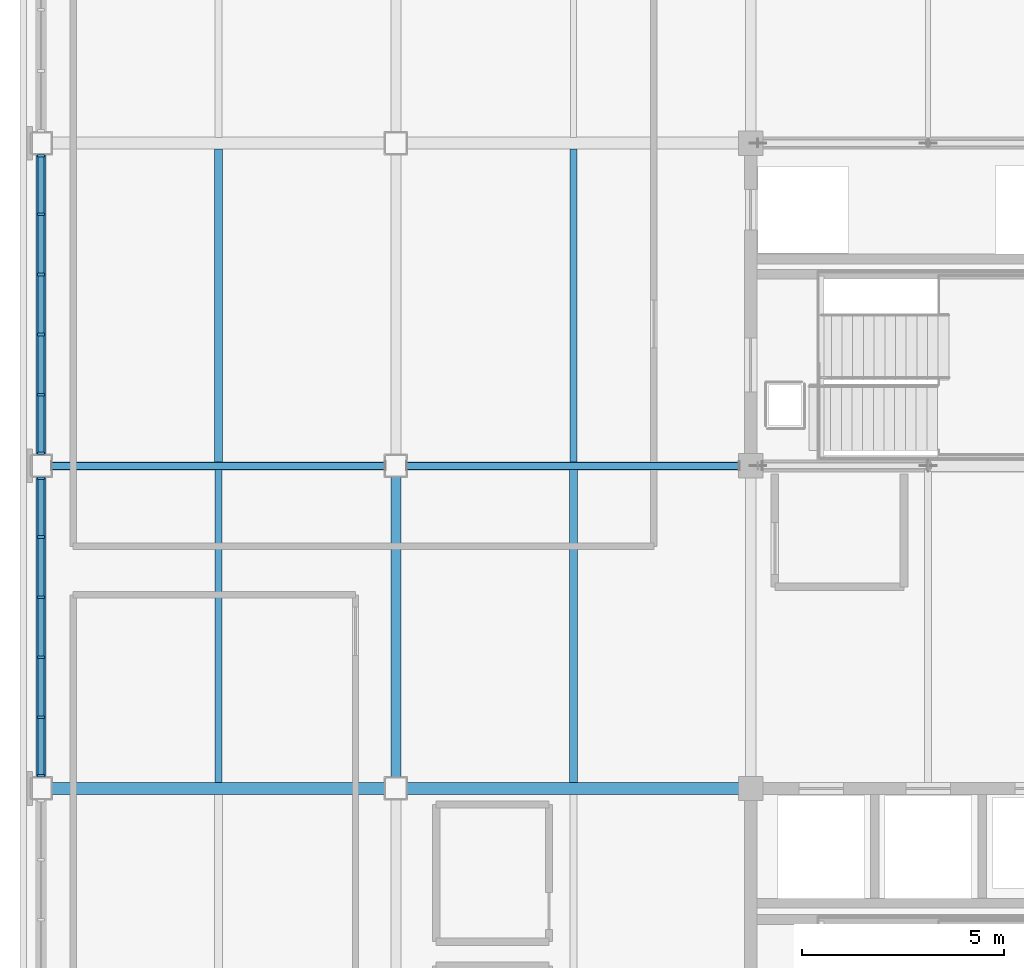
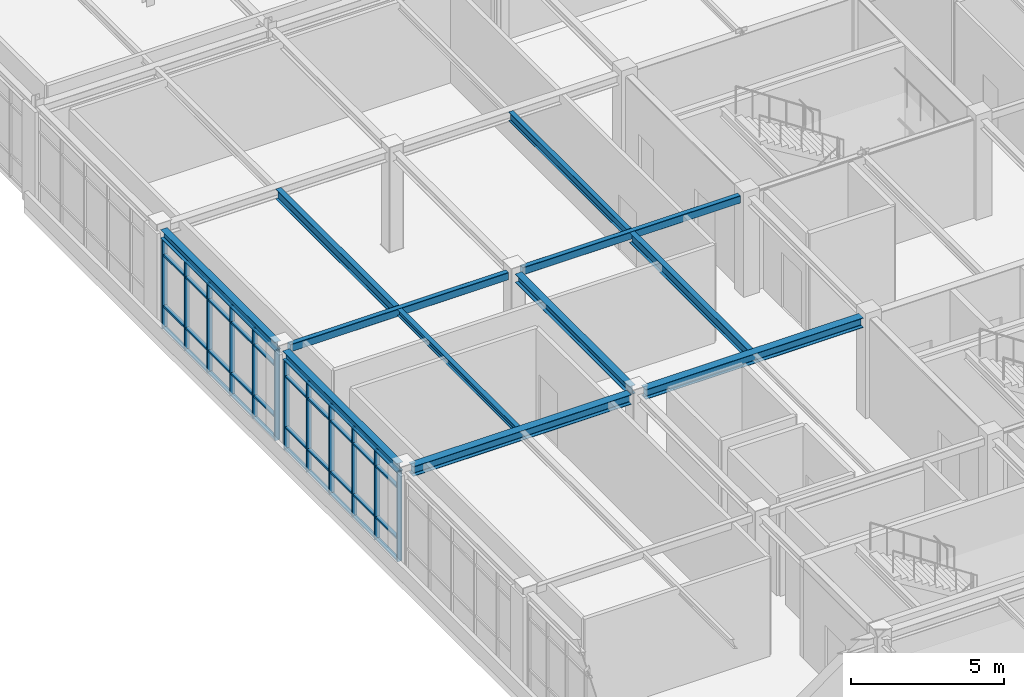
# One storey, part 20 of 88: 52 members, 11 beams, 2 elements without a shape of their own.
"""IFC4 building model written with IfcOpenShell, lengths in metres."""

from ifc_helpers import new_model, si_unit, direction, frame, origin, origin_2d, place, context, subcontext, project, spatial, rectangle, hollow_rectangle, i_section, extrude, material, material_profile, profile_set, type_object, element, aggregate, save


model = new_model("IFC4")

# Units and contexts
model_context = context("Model", 3, precision=1e-05, world=origin(), true_north=direction((0.0, 1.0)))
body_context = subcontext(model_context, "Body", "Model", "MODEL_VIEW")
ifc_project = project(units=[si_unit("LENGTHUNIT", "METRE"), si_unit("AREAUNIT", "SQUARE_METRE"), si_unit("VOLUMEUNIT", "CUBIC_METRE"), si_unit("PLANEANGLEUNIT", "RADIAN"), si_unit("MASSUNIT", "GRAM", prefix="KILO")], contexts=[model_context])

# Site, building, storey
site_placement = place(None, origin())
site = spatial("IfcSite", under=ifc_project, at=site_placement, CompositionType="ELEMENT")
building_placement = place(site_placement, origin())
building = spatial("IfcBuilding", under=site, at=building_placement, Name="Zhaolan Boulevard Law Courts", CompositionType="ELEMENT")
storey_placement = place(building_placement, frame((0.0, 0.0, 16.199951171875)))
storey = spatial("IfcBuildingStorey", under=building, at=storey_placement, Name="L03", CompositionType="ELEMENT", Elevation=16.199951171875)

# Curtain wall, members
ifc_material_1 = material(Name="Thermally broken aluminium and low-E glazing", Category="aluminium")
curtain_wall_type_1 = type_object("IfcCurtainWallType", Name="CURTAIN WALL M8", PredefinedType="USERDEFINED", material=ifc_material_1)
curtain_wall_1_placement = place(storey_placement, origin())
curtain_wall_1 = element("IfcCurtainWall", 1, at=curtain_wall_1_placement, inside=storey, type_object=curtain_wall_type_1, Name="Curtain Wall CW-L03-176", ObjectType="CURTAIN WALL", PredefinedType="USERDEFINED")
ifc_material_2 = material(Name="Fluorocarbon-coated aluminium 6063-T6", Category="aluminium")
ifc_material_profile_1 = material_profile(ifc_material_2, rectangle(XDim=0.179931640625, YDim=0.06494140625, at=origin_2d()), Name="AL65x180")
ifc_profile_set_1 = profile_set([ifc_material_profile_1], Name="Fluorocarbon-coated aluminium 6063-T6")
member_type_1 = type_object("IfcMemberType", Name="CWMULLION 65X180", PredefinedType="MULLION", material=ifc_profile_set_1)
member_1_placement = place(storey_placement, frame((0.0, 61.6904296875, 0.0), z_axis=(0.0, 0.0, 1.0), x_axis=(1.0, 0.0, 0.0)))
member_1 = element("IfcMember", 2, at=member_1_placement, type_object=member_type_1, Name="CW-L03-176 mullion 1", PredefinedType="MULLION", context=body_context, shape_type="SweptSolid", body=[
    extrude(rectangle(XDim=0.179931640625, YDim=0.06494140625, at=origin_2d()), origin(), (0.0, 0.0, 1.0), 3.593017578125),
])
member_2_placement = place(storey_placement, frame((0.0, 60.23388671875, 0.0), z_axis=(0.0, 0.0, 1.0), x_axis=(1.0, 0.0, 0.0)))
member_2 = element("IfcMember", 3, at=member_2_placement, type_object=member_type_1, Name="CW-L03-176 mullion 2", PredefinedType="MULLION", context=body_context, shape_type="SweptSolid", body=[
    extrude(rectangle(XDim=0.179931640625, YDim=0.06494140625, at=origin_2d()), origin(), (0.0, 0.0, 1.0), 3.593017578125),
])
member_3_placement = place(storey_placement, frame((0.0, 58.74462890625, 0.0), z_axis=(0.0, 0.0, 1.0), x_axis=(1.0, 0.0, 0.0)))
member_3 = element("IfcMember", 4, at=member_3_placement, type_object=member_type_1, Name="CW-L03-176 mullion 3", PredefinedType="MULLION", context=body_context, shape_type="SweptSolid", body=[
    extrude(rectangle(XDim=0.179931640625, YDim=0.06494140625, at=origin_2d()), origin(), (0.0, 0.0, 1.0), 3.593017578125),
])
member_4_placement = place(storey_placement, frame((0.0, 57.25537109375, 0.0), z_axis=(0.0, 0.0, 1.0), x_axis=(1.0, 0.0, 0.0)))
member_4 = element("IfcMember", 5, at=member_4_placement, type_object=member_type_1, Name="CW-L03-176 mullion 4", PredefinedType="MULLION", context=body_context, shape_type="SweptSolid", body=[
    extrude(rectangle(XDim=0.179931640625, YDim=0.06494140625, at=origin_2d()), origin(), (0.0, 0.0, 1.0), 3.593017578125),
])
member_5_placement = place(storey_placement, frame((0.0, 55.76611328125, 0.0), z_axis=(0.0, 0.0, 1.0), x_axis=(1.0, 0.0, 0.0)))
member_5 = element("IfcMember", 6, at=member_5_placement, type_object=member_type_1, Name="CW-L03-176 mullion 5", PredefinedType="MULLION", context=body_context, shape_type="SweptSolid", body=[
    extrude(rectangle(XDim=0.179931640625, YDim=0.06494140625, at=origin_2d()), origin(), (0.0, 0.0, 1.0), 3.593017578125),
])
member_6_placement = place(storey_placement, frame((0.0, 54.3095703125, 0.0), z_axis=(0.0, 0.0, 1.0), x_axis=(1.0, 0.0, 0.0)))
member_6 = element("IfcMember", 7, at=member_6_placement, type_object=member_type_1, Name="CW-L03-176 mullion 6", PredefinedType="MULLION", context=body_context, shape_type="SweptSolid", body=[
    extrude(rectangle(XDim=0.179931640625, YDim=0.06494140625, at=origin_2d()), origin(), (0.0, 0.0, 1.0), 3.593017578125),
])

ifc_material_3 = material(Name="Thermally broken aluminium and low-E glazing", Category="aluminium")
curtain_wall_type_2 = type_object("IfcCurtainWallType", Name="CURTAIN WALL M9", PredefinedType="USERDEFINED", material=ifc_material_3)
curtain_wall_2_placement = place(storey_placement, origin())
curtain_wall_2 = element("IfcCurtainWall", 8, at=curtain_wall_2_placement, inside=storey, type_object=curtain_wall_type_2, Name="Curtain Wall CW-L03-177", ObjectType="CURTAIN WALL", PredefinedType="USERDEFINED")
member_7_placement = place(storey_placement, frame((0.0, 69.6904296875, 0.0), z_axis=(0.0, 0.0, 1.0), x_axis=(1.0, 0.0, 0.0)))
member_7 = element("IfcMember", 9, at=member_7_placement, type_object=member_type_1, Name="CW-L03-177 mullion 1", PredefinedType="MULLION", context=body_context, shape_type="SweptSolid", body=[
    extrude(rectangle(XDim=0.179931640625, YDim=0.06494140625, at=origin_2d()), origin(), (0.0, 0.0, 1.0), 3.593017578125),
])
member_8_placement = place(storey_placement, frame((0.0, 68.23388671875, 0.0), z_axis=(0.0, 0.0, 1.0), x_axis=(1.0, 0.0, 0.0)))
member_8 = element("IfcMember", 10, at=member_8_placement, type_object=member_type_1, Name="CW-L03-177 mullion 2", PredefinedType="MULLION", context=body_context, shape_type="SweptSolid", body=[
    extrude(rectangle(XDim=0.179931640625, YDim=0.06494140625, at=origin_2d()), origin(), (0.0, 0.0, 1.0), 3.593017578125),
])
member_9_placement = place(storey_placement, frame((0.0, 66.74462890625, 0.0), z_axis=(0.0, 0.0, 1.0), x_axis=(1.0, 0.0, 0.0)))
member_9 = element("IfcMember", 11, at=member_9_placement, type_object=member_type_1, Name="CW-L03-177 mullion 3", PredefinedType="MULLION", context=body_context, shape_type="SweptSolid", body=[
    extrude(rectangle(XDim=0.179931640625, YDim=0.06494140625, at=origin_2d()), origin(), (0.0, 0.0, 1.0), 3.593017578125),
])
member_10_placement = place(storey_placement, frame((0.0, 65.25537109375, 0.0), z_axis=(0.0, 0.0, 1.0), x_axis=(1.0, 0.0, 0.0)))
member_10 = element("IfcMember", 12, at=member_10_placement, type_object=member_type_1, Name="CW-L03-177 mullion 4", PredefinedType="MULLION", context=body_context, shape_type="SweptSolid", body=[
    extrude(rectangle(XDim=0.179931640625, YDim=0.06494140625, at=origin_2d()), origin(), (0.0, 0.0, 1.0), 3.593017578125),
])
member_11_placement = place(storey_placement, frame((0.0, 63.76611328125, 0.0), z_axis=(0.0, 0.0, 1.0), x_axis=(1.0, 0.0, 0.0)))
member_11 = element("IfcMember", 13, at=member_11_placement, type_object=member_type_1, Name="CW-L03-177 mullion 5", PredefinedType="MULLION", context=body_context, shape_type="SweptSolid", body=[
    extrude(rectangle(XDim=0.179931640625, YDim=0.06494140625, at=origin_2d()), origin(), (0.0, 0.0, 1.0), 3.593017578125),
])
member_12_placement = place(storey_placement, frame((0.0, 62.3095703125, 0.0), z_axis=(0.0, 0.0, 1.0), x_axis=(1.0, 0.0, 0.0)))
member_12 = element("IfcMember", 14, at=member_12_placement, type_object=member_type_1, Name="CW-L03-177 mullion 6", PredefinedType="MULLION", context=body_context, shape_type="SweptSolid", body=[
    extrude(rectangle(XDim=0.179931640625, YDim=0.06494140625, at=origin_2d()), origin(), (0.0, 0.0, 1.0), 3.593017578125),
])

# Member
ifc_material_4 = material(Name="Fluorocarbon-coated aluminium 6063-T6", Category="aluminium")
ifc_material_profile_2 = material_profile(ifc_material_4, rectangle(XDim=0.139892578125, YDim=0.06494140625, at=origin_2d()), Name="AL65x140")
ifc_profile_set_2 = profile_set([ifc_material_profile_2], Name="Fluorocarbon-coated aluminium 6063-T6")
member_type_2 = type_object("IfcMemberType", Name="CWTRANSOM 65X140", PredefinedType="USERDEFINED", material=ifc_profile_set_2)
member_13_placement = place(storey_placement, frame((0.0, 61.657958984375, 0.032470703125), z_axis=(0.0, -1.0, 0.0), x_axis=(1.0, 0.0, 0.0)))
member_13 = element("IfcMember", 15, at=member_13_placement, type_object=member_type_2, Name="CW-L03-176 transom 1.1", ObjectType="TRANSOM", PredefinedType="USERDEFINED", context=body_context, shape_type="SweptSolid", body=[
    extrude(rectangle(XDim=0.139892578125, YDim=0.06494140625, at=origin_2d()), origin(), (0.0, 0.0, 1.0), 1.3916015625),
])

member_14_placement = place(storey_placement, frame((0.0, 61.657958984375, 0.900146484375), z_axis=(0.0, -1.0, 0.0), x_axis=(1.0, 0.0, 0.0)))
member_14 = element("IfcMember", 16, at=member_14_placement, type_object=member_type_2, Name="CW-L03-176 transom 1.2", ObjectType="TRANSOM", PredefinedType="USERDEFINED", context=body_context, shape_type="SweptSolid", body=[
    extrude(rectangle(XDim=0.139892578125, YDim=0.06494140625, at=origin_2d()), origin(), (0.0, 0.0, 1.0), 1.3916015625),
])

member_15_placement = place(storey_placement, frame((0.0, 61.657958984375, 2.943115234375), z_axis=(0.0, -1.0, 0.0), x_axis=(1.0, 0.0, 0.0)))
member_15 = element("IfcMember", 17, at=member_15_placement, type_object=member_type_2, Name="CW-L03-176 transom 1.3", ObjectType="TRANSOM", PredefinedType="USERDEFINED", context=body_context, shape_type="SweptSolid", body=[
    extrude(rectangle(XDim=0.139892578125, YDim=0.06494140625, at=origin_2d()), origin(), (0.0, 0.0, 1.0), 1.3916015625),
])

member_16_placement = place(storey_placement, frame((0.0, 61.657958984375, 3.560546875), z_axis=(0.0, -1.0, 0.0), x_axis=(1.0, 0.0, 0.0)))
member_16 = element("IfcMember", 18, at=member_16_placement, type_object=member_type_2, Name="CW-L03-176 transom 1.4", ObjectType="TRANSOM", PredefinedType="USERDEFINED", context=body_context, shape_type="SweptSolid", body=[
    extrude(rectangle(XDim=0.139892578125, YDim=0.06494140625, at=origin_2d()), origin(), (0.0, 0.0, 1.0), 1.3916015625),
])

member_17_placement = place(storey_placement, frame((0.0, 60.201416015625, 0.032470703125), z_axis=(0.0, -1.0, 0.0), x_axis=(1.0, 0.0, 0.0)))
member_17 = element("IfcMember", 19, at=member_17_placement, type_object=member_type_2, Name="CW-L03-176 transom 2.1", ObjectType="TRANSOM", PredefinedType="USERDEFINED", context=body_context, shape_type="SweptSolid", body=[
    extrude(rectangle(XDim=0.139892578125, YDim=0.06494140625, at=origin_2d()), origin(), (0.0, 0.0, 1.0), 1.42431640625),
])

member_18_placement = place(storey_placement, frame((0.0, 60.201416015625, 0.900146484375), z_axis=(0.0, -1.0, 0.0), x_axis=(1.0, 0.0, 0.0)))
member_18 = element("IfcMember", 20, at=member_18_placement, type_object=member_type_2, Name="CW-L03-176 transom 2.2", ObjectType="TRANSOM", PredefinedType="USERDEFINED", context=body_context, shape_type="SweptSolid", body=[
    extrude(rectangle(XDim=0.139892578125, YDim=0.06494140625, at=origin_2d()), origin(), (0.0, 0.0, 1.0), 1.42431640625),
])

member_19_placement = place(storey_placement, frame((0.0, 60.201416015625, 2.943115234375), z_axis=(0.0, -1.0, 0.0), x_axis=(1.0, 0.0, 0.0)))
member_19 = element("IfcMember", 21, at=member_19_placement, type_object=member_type_2, Name="CW-L03-176 transom 2.3", ObjectType="TRANSOM", PredefinedType="USERDEFINED", context=body_context, shape_type="SweptSolid", body=[
    extrude(rectangle(XDim=0.139892578125, YDim=0.06494140625, at=origin_2d()), origin(), (0.0, 0.0, 1.0), 1.42431640625),
])

member_20_placement = place(storey_placement, frame((0.0, 60.201416015625, 3.560546875), z_axis=(0.0, -1.0, 0.0), x_axis=(1.0, 0.0, 0.0)))
member_20 = element("IfcMember", 22, at=member_20_placement, type_object=member_type_2, Name="CW-L03-176 transom 2.4", ObjectType="TRANSOM", PredefinedType="USERDEFINED", context=body_context, shape_type="SweptSolid", body=[
    extrude(rectangle(XDim=0.139892578125, YDim=0.06494140625, at=origin_2d()), origin(), (0.0, 0.0, 1.0), 1.42431640625),
])

member_21_placement = place(storey_placement, frame((0.0, 58.712158203125, 0.032470703125), z_axis=(0.0, -1.0, 0.0), x_axis=(1.0, 0.0, 0.0)))
member_21 = element("IfcMember", 23, at=member_21_placement, type_object=member_type_2, Name="CW-L03-176 transom 3.1", ObjectType="TRANSOM", PredefinedType="USERDEFINED", context=body_context, shape_type="SweptSolid", body=[
    extrude(rectangle(XDim=0.139892578125, YDim=0.06494140625, at=origin_2d()), origin(), (0.0, 0.0, 1.0), 1.42431640625),
])

member_22_placement = place(storey_placement, frame((0.0, 58.712158203125, 0.900146484375), z_axis=(0.0, -1.0, 0.0), x_axis=(1.0, 0.0, 0.0)))
member_22 = element("IfcMember", 24, at=member_22_placement, type_object=member_type_2, Name="CW-L03-176 transom 3.2", ObjectType="TRANSOM", PredefinedType="USERDEFINED", context=body_context, shape_type="SweptSolid", body=[
    extrude(rectangle(XDim=0.139892578125, YDim=0.06494140625, at=origin_2d()), origin(), (0.0, 0.0, 1.0), 1.42431640625),
])

member_23_placement = place(storey_placement, frame((0.0, 58.712158203125, 2.943115234375), z_axis=(0.0, -1.0, 0.0), x_axis=(1.0, 0.0, 0.0)))
member_23 = element("IfcMember", 25, at=member_23_placement, type_object=member_type_2, Name="CW-L03-176 transom 3.3", ObjectType="TRANSOM", PredefinedType="USERDEFINED", context=body_context, shape_type="SweptSolid", body=[
    extrude(rectangle(XDim=0.139892578125, YDim=0.06494140625, at=origin_2d()), origin(), (0.0, 0.0, 1.0), 1.42431640625),
])

member_24_placement = place(storey_placement, frame((0.0, 58.712158203125, 3.560546875), z_axis=(0.0, -1.0, 0.0), x_axis=(1.0, 0.0, 0.0)))
member_24 = element("IfcMember", 26, at=member_24_placement, type_object=member_type_2, Name="CW-L03-176 transom 3.4", ObjectType="TRANSOM", PredefinedType="USERDEFINED", context=body_context, shape_type="SweptSolid", body=[
    extrude(rectangle(XDim=0.139892578125, YDim=0.06494140625, at=origin_2d()), origin(), (0.0, 0.0, 1.0), 1.42431640625),
])

member_25_placement = place(storey_placement, frame((0.0, 57.222900390625, 0.032470703125), z_axis=(0.0, -1.0, 0.0), x_axis=(1.0, 0.0, 0.0)))
member_25 = element("IfcMember", 27, at=member_25_placement, type_object=member_type_2, Name="CW-L03-176 transom 4.1", ObjectType="TRANSOM", PredefinedType="USERDEFINED", context=body_context, shape_type="SweptSolid", body=[
    extrude(rectangle(XDim=0.139892578125, YDim=0.06494140625, at=origin_2d()), origin(), (0.0, 0.0, 1.0), 1.42431640625),
])

member_26_placement = place(storey_placement, frame((0.0, 57.222900390625, 0.900146484375), z_axis=(0.0, -1.0, 0.0), x_axis=(1.0, 0.0, 0.0)))
member_26 = element("IfcMember", 28, at=member_26_placement, type_object=member_type_2, Name="CW-L03-176 transom 4.2", ObjectType="TRANSOM", PredefinedType="USERDEFINED", context=body_context, shape_type="SweptSolid", body=[
    extrude(rectangle(XDim=0.139892578125, YDim=0.06494140625, at=origin_2d()), origin(), (0.0, 0.0, 1.0), 1.42431640625),
])

member_27_placement = place(storey_placement, frame((0.0, 57.222900390625, 2.943115234375), z_axis=(0.0, -1.0, 0.0), x_axis=(1.0, 0.0, 0.0)))
member_27 = element("IfcMember", 29, at=member_27_placement, type_object=member_type_2, Name="CW-L03-176 transom 4.3", ObjectType="TRANSOM", PredefinedType="USERDEFINED", context=body_context, shape_type="SweptSolid", body=[
    extrude(rectangle(XDim=0.139892578125, YDim=0.06494140625, at=origin_2d()), origin(), (0.0, 0.0, 1.0), 1.42431640625),
])

member_28_placement = place(storey_placement, frame((0.0, 57.222900390625, 3.560546875), z_axis=(0.0, -1.0, 0.0), x_axis=(1.0, 0.0, 0.0)))
member_28 = element("IfcMember", 30, at=member_28_placement, type_object=member_type_2, Name="CW-L03-176 transom 4.4", ObjectType="TRANSOM", PredefinedType="USERDEFINED", context=body_context, shape_type="SweptSolid", body=[
    extrude(rectangle(XDim=0.139892578125, YDim=0.06494140625, at=origin_2d()), origin(), (0.0, 0.0, 1.0), 1.42431640625),
])

member_29_placement = place(storey_placement, frame((0.0, 55.733642578125, 0.032470703125), z_axis=(0.0, -1.0, 0.0), x_axis=(1.0, 0.0, 0.0)))
member_29 = element("IfcMember", 31, at=member_29_placement, type_object=member_type_2, Name="CW-L03-176 transom 5.1", ObjectType="TRANSOM", PredefinedType="USERDEFINED", context=body_context, shape_type="SweptSolid", body=[
    extrude(rectangle(XDim=0.139892578125, YDim=0.06494140625, at=origin_2d()), origin(), (0.0, 0.0, 1.0), 1.3916015625),
])

member_30_placement = place(storey_placement, frame((0.0, 55.733642578125, 0.900146484375), z_axis=(0.0, -1.0, 0.0), x_axis=(1.0, 0.0, 0.0)))
member_30 = element("IfcMember", 32, at=member_30_placement, type_object=member_type_2, Name="CW-L03-176 transom 5.2", ObjectType="TRANSOM", PredefinedType="USERDEFINED", context=body_context, shape_type="SweptSolid", body=[
    extrude(rectangle(XDim=0.139892578125, YDim=0.06494140625, at=origin_2d()), origin(), (0.0, 0.0, 1.0), 1.3916015625),
])

member_31_placement = place(storey_placement, frame((0.0, 55.733642578125, 2.943115234375), z_axis=(0.0, -1.0, 0.0), x_axis=(1.0, 0.0, 0.0)))
member_31 = element("IfcMember", 33, at=member_31_placement, type_object=member_type_2, Name="CW-L03-176 transom 5.3", ObjectType="TRANSOM", PredefinedType="USERDEFINED", context=body_context, shape_type="SweptSolid", body=[
    extrude(rectangle(XDim=0.139892578125, YDim=0.06494140625, at=origin_2d()), origin(), (0.0, 0.0, 1.0), 1.3916015625),
])

member_32_placement = place(storey_placement, frame((0.0, 55.733642578125, 3.560546875), z_axis=(0.0, -1.0, 0.0), x_axis=(1.0, 0.0, 0.0)))
member_32 = element("IfcMember", 34, at=member_32_placement, type_object=member_type_2, Name="CW-L03-176 transom 5.4", ObjectType="TRANSOM", PredefinedType="USERDEFINED", context=body_context, shape_type="SweptSolid", body=[
    extrude(rectangle(XDim=0.139892578125, YDim=0.06494140625, at=origin_2d()), origin(), (0.0, 0.0, 1.0), 1.3916015625),
])

aggregate(curtain_wall_1, [member_1, member_2, member_3, member_4, member_5, member_6, member_13, member_14, member_15, member_16, member_17, member_18, member_19, member_20, member_21, member_22, member_23, member_24, member_25, member_26, member_27, member_28, member_29, member_30, member_31, member_32])

member_33_placement = place(storey_placement, frame((0.0, 69.657958984375, 0.032470703125), z_axis=(0.0, -1.0, 0.0), x_axis=(1.0, 0.0, 0.0)))
member_33 = element("IfcMember", 35, at=member_33_placement, type_object=member_type_2, Name="CW-L03-177 transom 1.1", ObjectType="TRANSOM", PredefinedType="USERDEFINED", context=body_context, shape_type="SweptSolid", body=[
    extrude(rectangle(XDim=0.139892578125, YDim=0.06494140625, at=origin_2d()), origin(), (0.0, 0.0, 1.0), 1.3916015625),
])

member_34_placement = place(storey_placement, frame((0.0, 69.657958984375, 0.900146484375), z_axis=(0.0, -1.0, 0.0), x_axis=(1.0, 0.0, 0.0)))
member_34 = element("IfcMember", 36, at=member_34_placement, type_object=member_type_2, Name="CW-L03-177 transom 1.2", ObjectType="TRANSOM", PredefinedType="USERDEFINED", context=body_context, shape_type="SweptSolid", body=[
    extrude(rectangle(XDim=0.139892578125, YDim=0.06494140625, at=origin_2d()), origin(), (0.0, 0.0, 1.0), 1.3916015625),
])

member_35_placement = place(storey_placement, frame((0.0, 69.657958984375, 2.943115234375), z_axis=(0.0, -1.0, 0.0), x_axis=(1.0, 0.0, 0.0)))
member_35 = element("IfcMember", 37, at=member_35_placement, type_object=member_type_2, Name="CW-L03-177 transom 1.3", ObjectType="TRANSOM", PredefinedType="USERDEFINED", context=body_context, shape_type="SweptSolid", body=[
    extrude(rectangle(XDim=0.139892578125, YDim=0.06494140625, at=origin_2d()), origin(), (0.0, 0.0, 1.0), 1.3916015625),
])

member_36_placement = place(storey_placement, frame((0.0, 69.657958984375, 3.560546875), z_axis=(0.0, -1.0, 0.0), x_axis=(1.0, 0.0, 0.0)))
member_36 = element("IfcMember", 38, at=member_36_placement, type_object=member_type_2, Name="CW-L03-177 transom 1.4", ObjectType="TRANSOM", PredefinedType="USERDEFINED", context=body_context, shape_type="SweptSolid", body=[
    extrude(rectangle(XDim=0.139892578125, YDim=0.06494140625, at=origin_2d()), origin(), (0.0, 0.0, 1.0), 1.3916015625),
])

member_37_placement = place(storey_placement, frame((0.0, 68.201416015625, 0.032470703125), z_axis=(0.0, -1.0, 0.0), x_axis=(1.0, 0.0, 0.0)))
member_37 = element("IfcMember", 39, at=member_37_placement, type_object=member_type_2, Name="CW-L03-177 transom 2.1", ObjectType="TRANSOM", PredefinedType="USERDEFINED", context=body_context, shape_type="SweptSolid", body=[
    extrude(rectangle(XDim=0.139892578125, YDim=0.06494140625, at=origin_2d()), origin(), (0.0, 0.0, 1.0), 1.42431640625),
])

member_38_placement = place(storey_placement, frame((0.0, 68.201416015625, 0.900146484375), z_axis=(0.0, -1.0, 0.0), x_axis=(1.0, 0.0, 0.0)))
member_38 = element("IfcMember", 40, at=member_38_placement, type_object=member_type_2, Name="CW-L03-177 transom 2.2", ObjectType="TRANSOM", PredefinedType="USERDEFINED", context=body_context, shape_type="SweptSolid", body=[
    extrude(rectangle(XDim=0.139892578125, YDim=0.06494140625, at=origin_2d()), origin(), (0.0, 0.0, 1.0), 1.42431640625),
])

member_39_placement = place(storey_placement, frame((0.0, 68.201416015625, 2.943115234375), z_axis=(0.0, -1.0, 0.0), x_axis=(1.0, 0.0, 0.0)))
member_39 = element("IfcMember", 41, at=member_39_placement, type_object=member_type_2, Name="CW-L03-177 transom 2.3", ObjectType="TRANSOM", PredefinedType="USERDEFINED", context=body_context, shape_type="SweptSolid", body=[
    extrude(rectangle(XDim=0.139892578125, YDim=0.06494140625, at=origin_2d()), origin(), (0.0, 0.0, 1.0), 1.42431640625),
])

member_40_placement = place(storey_placement, frame((0.0, 68.201416015625, 3.560546875), z_axis=(0.0, -1.0, 0.0), x_axis=(1.0, 0.0, 0.0)))
member_40 = element("IfcMember", 42, at=member_40_placement, type_object=member_type_2, Name="CW-L03-177 transom 2.4", ObjectType="TRANSOM", PredefinedType="USERDEFINED", context=body_context, shape_type="SweptSolid", body=[
    extrude(rectangle(XDim=0.139892578125, YDim=0.06494140625, at=origin_2d()), origin(), (0.0, 0.0, 1.0), 1.42431640625),
])

member_41_placement = place(storey_placement, frame((0.0, 66.712158203125, 0.032470703125), z_axis=(0.0, -1.0, 0.0), x_axis=(1.0, 0.0, 0.0)))
member_41 = element("IfcMember", 43, at=member_41_placement, type_object=member_type_2, Name="CW-L03-177 transom 3.1", ObjectType="TRANSOM", PredefinedType="USERDEFINED", context=body_context, shape_type="SweptSolid", body=[
    extrude(rectangle(XDim=0.139892578125, YDim=0.06494140625, at=origin_2d()), origin(), (0.0, 0.0, 1.0), 1.42431640625),
])

member_42_placement = place(storey_placement, frame((0.0, 66.712158203125, 0.900146484375), z_axis=(0.0, -1.0, 0.0), x_axis=(1.0, 0.0, 0.0)))
member_42 = element("IfcMember", 44, at=member_42_placement, type_object=member_type_2, Name="CW-L03-177 transom 3.2", ObjectType="TRANSOM", PredefinedType="USERDEFINED", context=body_context, shape_type="SweptSolid", body=[
    extrude(rectangle(XDim=0.139892578125, YDim=0.06494140625, at=origin_2d()), origin(), (0.0, 0.0, 1.0), 1.42431640625),
])

member_43_placement = place(storey_placement, frame((0.0, 66.712158203125, 2.943115234375), z_axis=(0.0, -1.0, 0.0), x_axis=(1.0, 0.0, 0.0)))
member_43 = element("IfcMember", 45, at=member_43_placement, type_object=member_type_2, Name="CW-L03-177 transom 3.3", ObjectType="TRANSOM", PredefinedType="USERDEFINED", context=body_context, shape_type="SweptSolid", body=[
    extrude(rectangle(XDim=0.139892578125, YDim=0.06494140625, at=origin_2d()), origin(), (0.0, 0.0, 1.0), 1.42431640625),
])

member_44_placement = place(storey_placement, frame((0.0, 66.712158203125, 3.560546875), z_axis=(0.0, -1.0, 0.0), x_axis=(1.0, 0.0, 0.0)))
member_44 = element("IfcMember", 46, at=member_44_placement, type_object=member_type_2, Name="CW-L03-177 transom 3.4", ObjectType="TRANSOM", PredefinedType="USERDEFINED", context=body_context, shape_type="SweptSolid", body=[
    extrude(rectangle(XDim=0.139892578125, YDim=0.06494140625, at=origin_2d()), origin(), (0.0, 0.0, 1.0), 1.42431640625),
])

member_45_placement = place(storey_placement, frame((0.0, 65.222900390625, 0.032470703125), z_axis=(0.0, -1.0, 0.0), x_axis=(1.0, 0.0, 0.0)))
member_45 = element("IfcMember", 47, at=member_45_placement, type_object=member_type_2, Name="CW-L03-177 transom 4.1", ObjectType="TRANSOM", PredefinedType="USERDEFINED", context=body_context, shape_type="SweptSolid", body=[
    extrude(rectangle(XDim=0.139892578125, YDim=0.06494140625, at=origin_2d()), origin(), (0.0, 0.0, 1.0), 1.42431640625),
])

member_46_placement = place(storey_placement, frame((0.0, 65.222900390625, 0.900146484375), z_axis=(0.0, -1.0, 0.0), x_axis=(1.0, 0.0, 0.0)))
member_46 = element("IfcMember", 48, at=member_46_placement, type_object=member_type_2, Name="CW-L03-177 transom 4.2", ObjectType="TRANSOM", PredefinedType="USERDEFINED", context=body_context, shape_type="SweptSolid", body=[
    extrude(rectangle(XDim=0.139892578125, YDim=0.06494140625, at=origin_2d()), origin(), (0.0, 0.0, 1.0), 1.42431640625),
])

member_47_placement = place(storey_placement, frame((0.0, 65.222900390625, 2.943115234375), z_axis=(0.0, -1.0, 0.0), x_axis=(1.0, 0.0, 0.0)))
member_47 = element("IfcMember", 49, at=member_47_placement, type_object=member_type_2, Name="CW-L03-177 transom 4.3", ObjectType="TRANSOM", PredefinedType="USERDEFINED", context=body_context, shape_type="SweptSolid", body=[
    extrude(rectangle(XDim=0.139892578125, YDim=0.06494140625, at=origin_2d()), origin(), (0.0, 0.0, 1.0), 1.42431640625),
])

member_48_placement = place(storey_placement, frame((0.0, 65.222900390625, 3.560546875), z_axis=(0.0, -1.0, 0.0), x_axis=(1.0, 0.0, 0.0)))
member_48 = element("IfcMember", 50, at=member_48_placement, type_object=member_type_2, Name="CW-L03-177 transom 4.4", ObjectType="TRANSOM", PredefinedType="USERDEFINED", context=body_context, shape_type="SweptSolid", body=[
    extrude(rectangle(XDim=0.139892578125, YDim=0.06494140625, at=origin_2d()), origin(), (0.0, 0.0, 1.0), 1.42431640625),
])

member_49_placement = place(storey_placement, frame((0.0, 63.733642578125, 0.032470703125), z_axis=(0.0, -1.0, 0.0), x_axis=(1.0, 0.0, 0.0)))
member_49 = element("IfcMember", 51, at=member_49_placement, type_object=member_type_2, Name="CW-L03-177 transom 5.1", ObjectType="TRANSOM", PredefinedType="USERDEFINED", context=body_context, shape_type="SweptSolid", body=[
    extrude(rectangle(XDim=0.139892578125, YDim=0.06494140625, at=origin_2d()), origin(), (0.0, 0.0, 1.0), 1.3916015625),
])

member_50_placement = place(storey_placement, frame((0.0, 63.733642578125, 0.900146484375), z_axis=(0.0, -1.0, 0.0), x_axis=(1.0, 0.0, 0.0)))
member_50 = element("IfcMember", 52, at=member_50_placement, type_object=member_type_2, Name="CW-L03-177 transom 5.2", ObjectType="TRANSOM", PredefinedType="USERDEFINED", context=body_context, shape_type="SweptSolid", body=[
    extrude(rectangle(XDim=0.139892578125, YDim=0.06494140625, at=origin_2d()), origin(), (0.0, 0.0, 1.0), 1.3916015625),
])

member_51_placement = place(storey_placement, frame((0.0, 63.733642578125, 2.943115234375), z_axis=(0.0, -1.0, 0.0), x_axis=(1.0, 0.0, 0.0)))
member_51 = element("IfcMember", 53, at=member_51_placement, type_object=member_type_2, Name="CW-L03-177 transom 5.3", ObjectType="TRANSOM", PredefinedType="USERDEFINED", context=body_context, shape_type="SweptSolid", body=[
    extrude(rectangle(XDim=0.139892578125, YDim=0.06494140625, at=origin_2d()), origin(), (0.0, 0.0, 1.0), 1.3916015625),
])

member_52_placement = place(storey_placement, frame((0.0, 63.733642578125, 3.560546875), z_axis=(0.0, -1.0, 0.0), x_axis=(1.0, 0.0, 0.0)))
member_52 = element("IfcMember", 54, at=member_52_placement, type_object=member_type_2, Name="CW-L03-177 transom 5.4", ObjectType="TRANSOM", PredefinedType="USERDEFINED", context=body_context, shape_type="SweptSolid", body=[
    extrude(rectangle(XDim=0.139892578125, YDim=0.06494140625, at=origin_2d()), origin(), (0.0, 0.0, 1.0), 1.3916015625),
])

aggregate(curtain_wall_2, [member_7, member_8, member_9, member_10, member_11, member_12, member_33, member_34, member_35, member_36, member_37, member_38, member_39, member_40, member_41, member_42, member_43, member_44, member_45, member_46, member_47, member_48, member_49, member_50, member_51, member_52])

# Beams
ifc_material_5 = material(Name="Structural steel Q355B", Category="steel")
ifc_material_profile_3 = material_profile(ifc_material_5, i_section(OverallWidth=0.25, OverallDepth=0.340087890625, WebThickness=0.009033203125, FlangeThickness=0.013916015625, FilletRadius=0.01611328125, at=origin_2d()), Name="HM340x250")
ifc_profile_set_3 = profile_set([ifc_material_profile_3], Name="Structural steel Q355B")
beam_type_1 = type_object("IfcBeamType", Name="GIRDER HM340", PredefinedType="BEAM", material=ifc_profile_set_3)
for number, where, z_axis, x_axis, name in (
    (55, (0.0, 54.27099609375, 3.778076171875), (0.0, 1.0, 0.0), (-1.0, 0.0, 0.0), "Beam BY-L04-1-H-J"),
    (56, (0.0, 62.27099609375, 3.778076171875), (0.0, 1.0, 0.0), (-1.0, 0.0, 0.0), "Beam BY-L04-1-J-K"),
    (57, (8.800048828125, 54.27099609375, 3.778076171875), (0.0, 1.0, 0.0), (-1.0, 0.0, 0.0), "Beam BY-L04-2-H-J"),
):
    element("IfcBeam", number, at=place(storey_placement, frame(where, z_axis=z_axis, x_axis=x_axis)), inside=storey, type_object=beam_type_1, Name=name, PredefinedType="BEAM", context=body_context, shape_type="SweptSolid", body=[
        extrude(i_section(OverallWidth=0.25, OverallDepth=0.340087890625, WebThickness=0.009033203125, FlangeThickness=0.013916015625, FilletRadius=0.01611328125, at=origin_2d()), origin(), (0.0, 0.0, 1.0), 7.4580078125),
    ])
ifc_material_6 = material(Name="Structural steel Q355B", Category="steel")
ifc_material_profile_4 = material_profile(ifc_material_6, i_section(OverallWidth=0.300048828125, OverallDepth=0.389892578125, WebThickness=0.010009765625, FlangeThickness=0.01611328125, FilletRadius=0.01806640625, at=origin_2d()), Name="HM390x300")
ifc_profile_set_4 = profile_set([ifc_material_profile_4], Name="Structural steel Q355B")
beam_type_2 = type_object("IfcBeamType", Name="GIRDER HM390", PredefinedType="BEAM", material=ifc_profile_set_4)
beam_1_placement = place(storey_placement, frame((0.27099609375, 54.0, 3.7529296875), z_axis=(1.0, 0.0, 0.0), x_axis=(0.0, 1.0, 0.0)))
element("IfcBeam", 58, at=beam_1_placement, inside=storey, type_object=beam_type_2, Name="Beam BX-L04-1-2-H", PredefinedType="BEAM", context=body_context, shape_type="SweptSolid", body=[
    extrude(i_section(OverallWidth=0.300048828125, OverallDepth=0.389892578125, WebThickness=0.010009765625, FlangeThickness=0.01611328125, FilletRadius=0.01806640625, at=origin_2d()), origin(), (0.0, 0.0, 1.0), 8.258056640625),
])
beam_2_placement = place(storey_placement, frame((9.071044921875, 54.0, 3.7529296875), z_axis=(1.0, 0.0, 0.0), x_axis=(0.0, 1.0, 0.0)))
element("IfcBeam", 59, at=beam_2_placement, inside=storey, type_object=beam_type_2, Name="Beam BX-L04-2-3-H", PredefinedType="BEAM", context=body_context, shape_type="SweptSolid", body=[
    extrude(i_section(OverallWidth=0.300048828125, OverallDepth=0.389892578125, WebThickness=0.010009765625, FlangeThickness=0.01611328125, FilletRadius=0.01806640625, at=origin_2d()), origin(), (0.0, 0.0, 1.0), 8.23291015625),
])
ifc_material_7 = material(Name="Structural steel Q355B", Category="steel")
ifc_material_profile_5 = material_profile(ifc_material_7, i_section(OverallWidth=0.175048828125, OverallDepth=0.243896484375, WebThickness=0.007080078125, FlangeThickness=0.010986328125, FilletRadius=0.012939453125, at=origin_2d()), Name="HM244x175")
ifc_profile_set_5 = profile_set([ifc_material_profile_5], Name="Structural steel Q355B")
beam_type_3 = type_object("IfcBeamType", Name="JOIST HM244", PredefinedType="JOIST", material=ifc_profile_set_5)
beam_3_placement = place(storey_placement, frame((4.39990234375, 54.14599609375, 3.825927734375), z_axis=(0.0, 1.0, 0.0), x_axis=(-1.0, 0.0, 0.0)))
element("IfcBeam", 60, at=beam_3_placement, inside=storey, type_object=beam_type_3, Name="Composite Joist J-L04-1H", PredefinedType="JOIST", context=body_context, shape_type="SweptSolid", body=[
    extrude(i_section(OverallWidth=0.175048828125, OverallDepth=0.243896484375, WebThickness=0.007080078125, FlangeThickness=0.010986328125, FilletRadius=0.012939453125, at=origin_2d()), origin(), (0.0, 0.0, 1.0), 7.758056640625),
])
ifc_material_8 = material(Name="Structural steel Q355B", Category="steel")
ifc_material_profile_6 = material_profile(ifc_material_8, i_section(OverallWidth=0.175048828125, OverallDepth=0.35009765625, WebThickness=0.007080078125, FlangeThickness=0.010986328125, FilletRadius=0.012939453125, at=origin_2d()), Name="HN350x175")
ifc_profile_set_6 = profile_set([ifc_material_profile_6], Name="Structural steel Q355B")
beam_type_4 = type_object("IfcBeamType", Name="JOIST HN350", PredefinedType="JOIST", material=ifc_profile_set_6)
beam_4_placement = place(storey_placement, frame((13.199951171875, 62.095947265625, 3.77294921875), z_axis=(0.0, 1.0, 0.0), x_axis=(-1.0, 0.0, 0.0)))
element("IfcBeam", 61, at=beam_4_placement, inside=storey, type_object=beam_type_4, Name="Composite Joist J-L04-2J", PredefinedType="JOIST", context=body_context, shape_type="SweptSolid", body=[
    extrude(i_section(OverallWidth=0.175048828125, OverallDepth=0.35009765625, WebThickness=0.007080078125, FlangeThickness=0.010986328125, FilletRadius=0.012939453125, at=origin_2d()), origin(), (0.0, 0.0, 1.0), 7.758056640625),
])
ifc_material_9 = material(Name="Structural steel Q355B", Category="steel")
ifc_material_profile_7 = material_profile(ifc_material_9, i_section(OverallWidth=0.199951171875, OverallDepth=0.39990234375, WebThickness=0.008056640625, FlangeThickness=0.012939453125, FilletRadius=0.013916015625, at=origin_2d()), Name="HN400x200")
ifc_profile_set_7 = profile_set([ifc_material_profile_7], Name="Structural steel Q355B")
beam_type_5 = type_object("IfcBeamType", Name="JOIST HN400", PredefinedType="JOIST", material=ifc_profile_set_7)
for number, where, z_axis, x_axis, name in (
    (62, (4.39990234375, 62.095947265625, 3.748046875), (0.0, 1.0, 0.0), (-1.0, 0.0, 0.0), "Composite Joist J-L04-1J"),
    (63, (13.199951171875, 54.14599609375, 3.748046875), (0.0, 1.0, 0.0), (-1.0, 0.0, 0.0), "Composite Joist J-L04-2H"),
):
    element("IfcBeam", number, at=place(storey_placement, frame(where, z_axis=z_axis, x_axis=x_axis)), inside=storey, type_object=beam_type_5, Name=name, PredefinedType="JOIST", context=body_context, shape_type="SweptSolid", body=[
        extrude(i_section(OverallWidth=0.199951171875, OverallDepth=0.39990234375, WebThickness=0.008056640625, FlangeThickness=0.012939453125, FilletRadius=0.013916015625, at=origin_2d()), origin(), (0.0, 0.0, 1.0), 7.758056640625),
    ])
ifc_material_10 = material(Name="Structural steel Q355B", Category="steel")
ifc_material_profile_8 = material_profile(ifc_material_10, hollow_rectangle(XDim=0.199951171875, YDim=0.300048828125, WallThickness=0.011962890625, InnerFilletRadius=0.011962890625, OuterFilletRadius=0.02392578125, at=origin_2d()), Name="HSS300x200x12")
ifc_profile_set_8 = profile_set([ifc_material_profile_8], Name="Structural steel Q355B")
beam_type_6 = type_object("IfcBeamType", Name="SPANDREL HSS300", PredefinedType="SPANDREL", material=ifc_profile_set_8)
beam_5_placement = place(storey_placement, frame((0.27099609375, 62.0, 3.798095703125), z_axis=(1.0, 0.0, 0.0), x_axis=(0.0, 1.0, 0.0)))
element("IfcBeam", 64, at=beam_5_placement, inside=storey, type_object=beam_type_6, Name="Beam BX-L04-1-2-J", PredefinedType="SPANDREL", context=body_context, shape_type="SweptSolid", body=[
    extrude(hollow_rectangle(XDim=0.199951171875, YDim=0.300048828125, WallThickness=0.011962890625, InnerFilletRadius=0.011962890625, OuterFilletRadius=0.02392578125, at=origin_2d()), origin(), (0.0, 0.0, 1.0), 8.258056640625),
])
beam_6_placement = place(storey_placement, frame((9.071044921875, 62.0, 3.798095703125), z_axis=(1.0, 0.0, 0.0), x_axis=(0.0, 1.0, 0.0)))
element("IfcBeam", 65, at=beam_6_placement, inside=storey, type_object=beam_type_6, Name="Beam BX-L04-2-3-J", PredefinedType="SPANDREL", context=body_context, shape_type="SweptSolid", body=[
    extrude(hollow_rectangle(XDim=0.199951171875, YDim=0.300048828125, WallThickness=0.011962890625, InnerFilletRadius=0.011962890625, OuterFilletRadius=0.02392578125, at=origin_2d()), origin(), (0.0, 0.0, 1.0), 8.23291015625),
])

save(model, "model.ifc")
